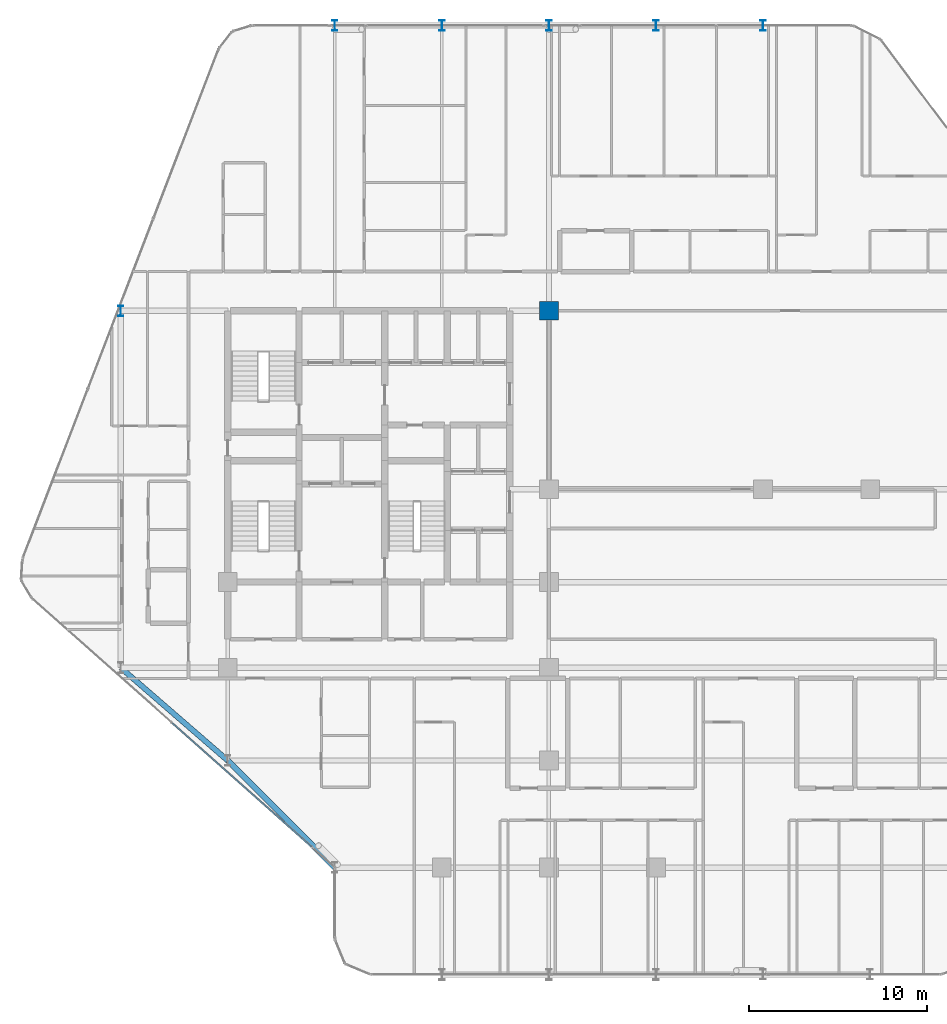
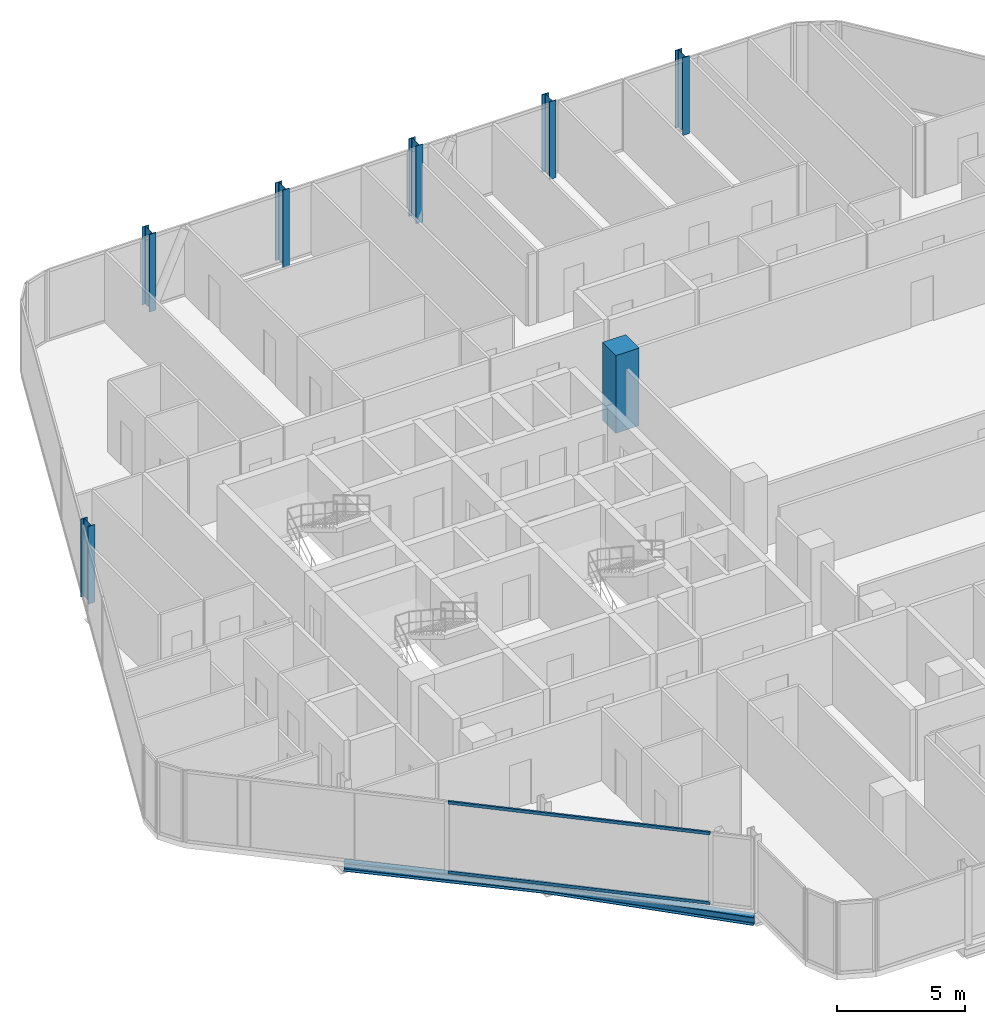
# One storey, part 2 of 29: 7 columns, 2 beams, 2 members, 1 element without a shape of its own.
"""IFC4 building model written with IfcOpenShell, lengths in metres."""

from ifc_helpers import new_model, si_unit, direction, frame, origin, origin_2d, place, context, subcontext, project, spatial, rectangle, hollow_rectangle, i_section, extrude, material, layer, layer_set, material_profile, profile_set, type_object, element, aggregate, save


model = new_model("IFC4")

# Units and contexts
model_context = context("Model", 3, precision=1e-05, world=origin(), true_north=direction((0.0, 1.0)))
body_context = subcontext(model_context, "Body", "Model", "MODEL_VIEW")
ifc_project = project(units=[si_unit("LENGTHUNIT", "METRE"), si_unit("AREAUNIT", "SQUARE_METRE"), si_unit("VOLUMEUNIT", "CUBIC_METRE"), si_unit("PLANEANGLEUNIT", "RADIAN"), si_unit("MASSUNIT", "GRAM", prefix="KILO")], contexts=[model_context])

# Site, building, storey
site_placement = place(None, origin())
site = spatial("IfcSite", under=ifc_project, at=site_placement, CompositionType="ELEMENT")
building_placement = place(site_placement, origin())
building = spatial("IfcBuilding", under=site, at=building_placement, Name="Keshet Zoharim Tower", CompositionType="ELEMENT")
storey_placement = place(building_placement, frame((0.0, 0.0, 98.300048828125)))
storey = spatial("IfcBuildingStorey", under=building, at=storey_placement, Name="L23", CompositionType="ELEMENT", Elevation=98.300048828125)

# Columns
ifc_material_1 = material(Name="Steel S355", Category="steel")
ifc_material_profile_1 = material_profile(ifc_material_1, i_section(OverallWidth=0.300048828125, OverallDepth=0.60009765625, WebThickness=0.015380859375, FlangeThickness=0.030029296875, FilletRadius=0.027099609375, at=origin_2d()), Name="HEB600")
ifc_profile_set_1 = profile_set([ifc_material_profile_1], Name="Steel S355")
column_type_1 = type_object("IfcColumnType", Name="COL-HEB600", PredefinedType="COLUMN", material=ifc_profile_set_1)
for number, where, z_axis, x_axis, name in (
    (1, (9.0, 37.89990234375, 0.0), (0.0, 0.0, 1.0), (1.0, 0.0, 0.0), "L23 Column 2H"),
    (2, (21.0, 53.89990234375, 0.0), (0.0, 0.0, 1.0), (1.0, 0.0, 0.0), "L23 Column 4L"),
    (3, (27.0, 53.89990234375, 0.0), (0.0, 0.0, 1.0), (1.0, 0.0, 0.0), "L23 Column 5L"),
    (4, (33.0, 53.89990234375, 0.0), (0.0, 0.0, 1.0), (1.0, 0.0, 0.0), "L23 Column 6L"),
    (5, (39.0, 53.89990234375, 0.0), (0.0, 0.0, 1.0), (1.0, 0.0, 0.0), "L23 Column 7L"),
    (6, (45.0, 53.89990234375, 0.0), (0.0, 0.0, 1.0), (1.0, 0.0, 0.0), "L23 Column 8L"),
):
    element("IfcColumn", number, at=place(storey_placement, frame(where, z_axis=z_axis, x_axis=x_axis)), inside=storey, type_object=column_type_1, Name=name, PredefinedType="COLUMN", context=body_context, shape_type="SweptSolid", body=[
        extrude(i_section(OverallWidth=0.300048828125, OverallDepth=0.60009765625, WebThickness=0.015380859375, FlangeThickness=0.030029296875, FilletRadius=0.027099609375, at=origin_2d()), origin(), (0.0, 0.0, 1.0), 3.699951171875),
    ])
ifc_material_2 = material(Name="Concrete C60/75", Category="concrete")
ifc_material_profile_2 = material_profile(ifc_material_2, rectangle(XDim=1.050048828125, YDim=1.050048828125, at=origin_2d()), Name="RC1050x1050")
ifc_profile_set_2 = profile_set([ifc_material_profile_2], Name="Concrete C60/75")
column_type_2 = type_object("IfcColumnType", Name="COL-RC1050", PredefinedType="COLUMN", material=ifc_profile_set_2)
column_placement = place(storey_placement, frame((33.0, 37.89990234375, 0.0), z_axis=(0.0, 0.0, 1.0), x_axis=(1.0, 0.0, 0.0)))
element("IfcColumn", 7, at=column_placement, inside=storey, type_object=column_type_2, Name="L23 Column 6H", PredefinedType="COLUMN", context=body_context, shape_type="SweptSolid", body=[
    extrude(rectangle(XDim=1.050048828125, YDim=1.050048828125, at=origin_2d()), origin(), (0.0, 0.0, 1.0), 3.699951171875),
])

# Beams
ifc_material_profile_3 = material_profile(ifc_material_1, i_section(OverallWidth=0.300048828125, OverallDepth=0.39990234375, WebThickness=0.013427734375, FlangeThickness=0.02392578125, FilletRadius=0.027099609375, at=origin_2d()), Name="HEB400")
ifc_profile_set_3 = profile_set([ifc_material_profile_3], Name="Steel S355")
beam_type = type_object("IfcBeamType", Name="BM-SPN-HB400", PredefinedType="SPANDREL", material=ifc_profile_set_3)
beam_1_placement = place(storey_placement, frame((21.0, 6.699951171875, -0.51513671875), z_axis=(-0.707106781187, 0.707106781187, 0.0), x_axis=(-0.707106781187, -0.707106781187, 0.0)))
element("IfcBeam", 8, at=beam_1_placement, inside=storey, type_object=beam_type, Name="L23 Perimeter Spandrel Beam 01", PredefinedType="SPANDREL", context=body_context, shape_type="SweptSolid", body=[
    extrude(i_section(OverallWidth=0.300048828125, OverallDepth=0.39990234375, WebThickness=0.013427734375, FlangeThickness=0.02392578125, FilletRadius=0.027099609375, at=origin_2d()), origin(), (0.0, 0.0, 1.0), 8.4853515625),
])
beam_2_placement = place(storey_placement, frame((9.0, 17.89990234375, -0.51513671875), z_axis=(0.755692126483, -0.654927026447, 0.0), x_axis=(0.654927026447, 0.755692126483, 0.0)))
element("IfcBeam", 9, at=beam_2_placement, inside=storey, type_object=beam_type, Name="L23 Perimeter Spandrel Beam 02", PredefinedType="SPANDREL", context=body_context, shape_type="SweptSolid", body=[
    extrude(i_section(OverallWidth=0.300048828125, OverallDepth=0.39990234375, WebThickness=0.013427734375, FlangeThickness=0.02392578125, FilletRadius=0.027099609375, at=origin_2d()), origin(), (0.0, 0.0, 1.0), 7.939697265625),
])

# Curtain wall, members
ifc_material_3 = material(Name="Aluminium 6063-T6", Category="aluminium")
ifc_layer = layer(ifc_material_3, 0.159912109375)
ifc_layer_set = layer_set([ifc_layer], Name="Aluminium 6063-T6")
curtain_wall_type = type_object("IfcCurtainWallType", Name="CW-SYS-03", PredefinedType="NOTDEFINED", material=ifc_layer_set)
curtain_wall_placement = place(storey_placement, origin())
curtain_wall = element("IfcCurtainWall", 10, at=curtain_wall_placement, inside=storey, type_object=curtain_wall_type, Name="L23 Unitised Curtain Wall 07 Part 2", PredefinedType="NOTDEFINED")
ifc_material_profile_4 = material_profile(ifc_material_3, hollow_rectangle(XDim=0.080078125, YDim=0.139892578125, WallThickness=0.00390625, at=origin_2d()), Name="TRN-80x140")
ifc_profile_set_4 = profile_set([ifc_material_profile_4], Name="Aluminium 6063-T6")
member_type = type_object("IfcMemberType", Name="CWT-T14", PredefinedType="USERDEFINED", material=ifc_profile_set_4)
member_1_placement = place(storey_placement, frame((19.684326171875, 7.869384765625, 0.034912109375), z_axis=(-0.747406736814, 0.664366743421, 0.0), x_axis=(-0.664366743421, -0.747406736814, 0.0)))
member_1 = element("IfcMember", 11, at=member_1_placement, type_object=member_type, Name="CW-03 transom 1.1", ObjectType="TRANSOM", PredefinedType="USERDEFINED", context=body_context, shape_type="SweptSolid", body=[
    extrude(hollow_rectangle(XDim=0.080078125, YDim=0.139892578125, WallThickness=0.00390625, at=origin_2d()), origin(), (0.0, 0.0, 1.0), 10.43408203125),
])
member_2_placement = place(storey_placement, frame((19.684326171875, 7.869384765625, 3.349853515625), z_axis=(-0.747406736814, 0.664366743421, 0.0), x_axis=(-0.664366743421, -0.747406736814, 0.0)))
member_2 = element("IfcMember", 12, at=member_2_placement, type_object=member_type, Name="CW-03 transom 1.2", ObjectType="TRANSOM", PredefinedType="USERDEFINED", context=body_context, shape_type="SweptSolid", body=[
    extrude(hollow_rectangle(XDim=0.080078125, YDim=0.139892578125, WallThickness=0.00390625, at=origin_2d()), origin(), (0.0, 0.0, 1.0), 10.43408203125),
])
aggregate(curtain_wall, [member_1, member_2])

save(model, "model.ifc")
